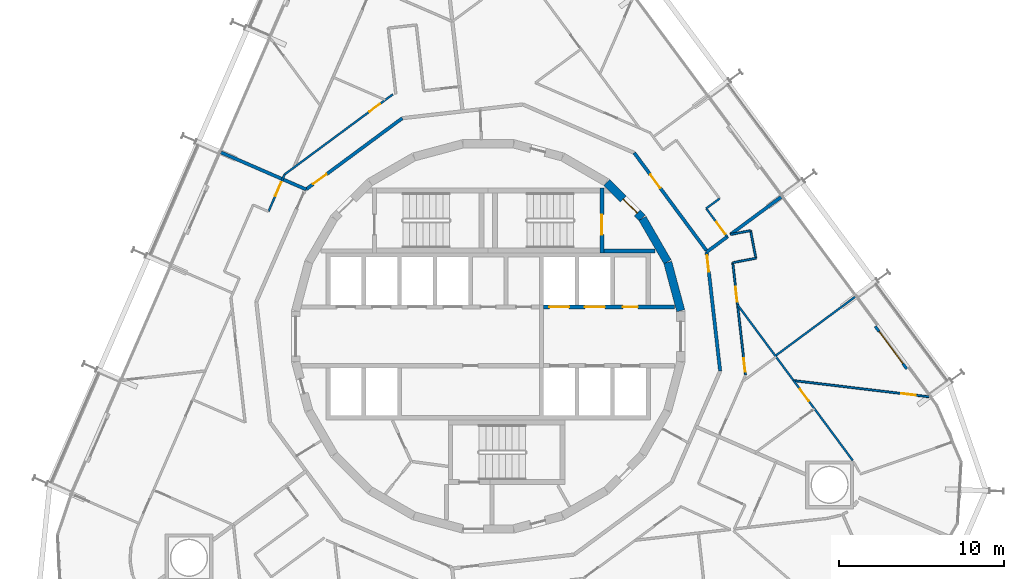
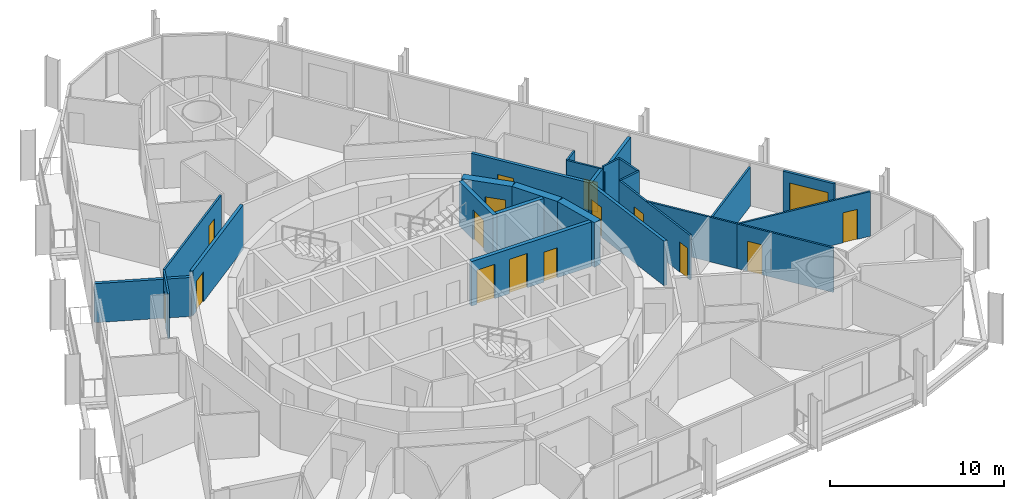
# One storey, part 20 of 24: 25 walls, 16 doors, 16 openings.
"""IFC4 building model written with IfcOpenShell, lengths in metres."""

import ifcopenshell
import ifcopenshell.guid

model = None  # the IFC model being written
_history = None  # IfcOwnerHistory: only IFC2X3 demands one
_inside = {}  # id of a spatial element -> (the spatial element, [elements in it])
_under = {}  # id of a project, library or spatial element -> (it, [spatial elements below it])
_declared = {}  # id of a project -> (the project, [libraries it declares])
_typed = {}  # id of a type object -> (the type object, [elements of that type])
_made_of = {}  # id of a material, layer set ... -> (it, [elements and type objects made of it])


def new_model(schema):
    """Start an empty IFC model of exactly this schema.

    Asked for "IFC4X3", IfcOpenShell would pick the latest addendum, in which some entities
    have other attributes; the version numbers below select the first issue.
    IFC2X3 requires an IfcOwnerHistory on every rooted entity: one is made here for all.
    """
    global model, _history
    if schema == "IFC4X3":
        model = ifcopenshell.file(schema_version=(4, 3, 0, 0))
    else:
        model = ifcopenshell.file(schema=schema)
    _inside.clear()
    _under.clear()
    _declared.clear()
    _typed.clear()
    _made_of.clear()
    _history = None
    if model.schema == "IFC2X3":
        org = make("IfcOrganization", Name="unknown")
        user = make(
            "IfcPersonAndOrganization",
            ThePerson=make("IfcPerson", FamilyName="unknown"),
            TheOrganization=org,
        )
        app = make(
            "IfcApplication",
            ApplicationDeveloper=org,
            Version="unknown",
            ApplicationFullName="unknown",
            ApplicationIdentifier="unknown",
        )
        _history = make(
            "IfcOwnerHistory",
            OwningUser=user,
            OwningApplication=app,
            ChangeAction="ADDED",
            CreationDate=0,
        )
    return model


def make(cls, **values):
    """One entity of the class cls with the attributes given. An attribute that is None is left unset."""
    return model.create_entity(
        cls, **{name: value for name, value in values.items() if value is not None}
    )


def rooted(cls, **values):
    """An entity with a GlobalId (a new one), such as an element, a storey or a relation."""
    return make(cls, GlobalId=ifcopenshell.guid.new(), OwnerHistory=_history, **values)


def si_unit(unit_type, name, prefix=None):
    """IfcSIUnit, for example si_unit("LENGTHUNIT", "METRE", prefix="MILLI")."""
    return make("IfcSIUnit", UnitType=unit_type, Prefix=prefix, Name=name)


def assignment(units):
    """IfcUnitAssignment: the units of a project."""
    return None if units is None else make("IfcUnitAssignment", Units=units)


def point(xyz):
    """IfcCartesianPoint."""
    return None if xyz is None else make("IfcCartesianPoint", Coordinates=xyz)


def direction(xyz):
    """IfcDirection."""
    return None if xyz is None else make("IfcDirection", DirectionRatios=xyz)


def frame(location, z_axis=None, x_axis=None):
    """IfcAxis2Placement3D, a coordinate frame: its origin and axes. An axis left out is left unset."""
    return make(
        "IfcAxis2Placement3D",
        Location=point(location),
        Axis=direction(z_axis),
        RefDirection=direction(x_axis),
    )


def frame_2d(location, x_axis=None):
    """IfcAxis2Placement2D, a coordinate frame in the plane: its origin and x axis."""
    return make(
        "IfcAxis2Placement2D", Location=point(location), RefDirection=direction(x_axis)
    )


def origin():
    """The frame at (0, 0, 0) with its axes left unset."""
    return frame((0.0, 0.0, 0.0))


def place(relative_to, where):
    """IfcLocalPlacement: puts the frame where relative to a parent placement (None: the world)."""
    return make(
        "IfcLocalPlacement", PlacementRelTo=relative_to, RelativePlacement=where
    )


def context(
    kind, dimensions, precision=None, world=None, true_north=None, identifier=None
):
    """IfcGeometricRepresentationContext, for example the 3D "Model" context."""
    return make(
        "IfcGeometricRepresentationContext",
        ContextIdentifier=identifier,
        ContextType=kind,
        CoordinateSpaceDimension=dimensions,
        Precision=precision,
        WorldCoordinateSystem=world,
        TrueNorth=true_north,
    )


def subcontext(parent, identifier, kind, view, scale=None):
    """IfcGeometricRepresentationSubContext, for example "Body" below "Model"."""
    return make(
        "IfcGeometricRepresentationSubContext",
        ContextIdentifier=identifier,
        ContextType=kind,
        ParentContext=parent,
        TargetScale=scale,
        TargetView=view,
    )


def project(units=None, contexts=None):
    """IfcProject with its units and contexts."""
    return rooted(
        "IfcProject",
        Name="project",
        RepresentationContexts=contexts,
        UnitsInContext=assignment(units),
    )


def spatial(cls, under=None, at=None, **own):
    """A site, building, storey or space (cls), placed at a placement, below another one or the project."""
    s = rooted(cls, ObjectPlacement=at, **own)
    if under is not None:
        _under.setdefault(under.id(), (under, []))[1].append(s)
    return s


def profile(cls, at=None, kind="AREA", **sizes):
    """A parametric profile (cls). Its sizes go by their IFC names, for example OverallWidth=200.0."""
    return make(cls, ProfileType=kind, Position=at, **sizes)


def rectangle(**sizes):
    """IfcRectangleProfileDef."""
    return profile("IfcRectangleProfileDef", **sizes)


def extrude(swept, where, along, depth):
    """IfcExtrudedAreaSolid: the profile swept, set in the frame where, extruded along a direction by depth."""
    return make(
        "IfcExtrudedAreaSolid",
        SweptArea=swept,
        Position=where,
        ExtrudedDirection=direction(along),
        Depth=depth,
    )


def shape(context_of_items, identifier, shape_type, items):
    """IfcShapeRepresentation: the items that make up one representation, for example the "Body"."""
    return make(
        "IfcShapeRepresentation",
        ContextOfItems=context_of_items,
        RepresentationIdentifier=identifier,
        RepresentationType=shape_type,
        Items=items,
    )


def material(Name=None, Category=None):
    """IfcMaterial."""
    return make("IfcMaterial", Name=Name, Category=Category)


def layer(
    of_material, thickness, ventilated=None, Name=None, Category=None, Priority=None
):
    """IfcMaterialLayer: one layer of a wall or slab, of a material (None: an air gap)."""
    return make(
        "IfcMaterialLayer",
        Material=of_material,
        LayerThickness=thickness,
        IsVentilated=ventilated,
        Name=Name,
        Category=Category,
        Priority=Priority,
    )


def layer_set(layers, Name=None):
    """IfcMaterialLayerSet."""
    return make("IfcMaterialLayerSet", MaterialLayers=layers, LayerSetName=Name)


def made_of(thing, what):
    """Note that an element or type object is made of a material, layer set ...; save() writes the relation."""
    if what is not None:
        _made_of.setdefault(what.id(), (what, []))[1].append(thing)
    return thing


def type_object(cls, material=None, **own):
    """A type object (cls), such as IfcWallType, which elements share."""
    return made_of(rooted(cls, **own), material)


def element(
    cls,
    number,
    at=None,
    inside=None,
    cuts=None,
    type_object=None,
    material=None,
    context=None,
    identifier="Body",
    shape_type=None,
    held_by="IfcProductDefinitionShape",
    body=None,
    shapes=None,
    **own,
):
    """One element of the class cls, such as IfcWall. Its Tag is "e" and its number.

    at: its placement. inside: the storey or other place that contains it. cuts: it is an
    opening in that element (IfcRelVoidsElement). A single representation is given by context,
    identifier, shape_type and body (its items); several are given by shapes. held_by: the class
    of the entity that holds the representations. save() writes the other relations.
    """
    e = rooted(cls, Tag="e%d" % number, ObjectPlacement=at, **own)
    if body is not None:
        shapes = [shape(context, identifier, shape_type, body)]
    if shapes is not None:
        e.Representation = make(held_by, Representations=shapes)
    if inside is not None:
        _inside.setdefault(inside.id(), (inside, []))[1].append(e)
    if cuts is not None:
        rooted(
            "IfcRelVoidsElement", RelatingBuildingElement=cuts, RelatedOpeningElement=e
        )
    if type_object is not None:
        _typed.setdefault(type_object.id(), (type_object, []))[1].append(e)
    return made_of(e, material)


def fill(opening, filler):
    """IfcRelFillsElement: the door or window that sits in an opening."""
    return rooted(
        "IfcRelFillsElement",
        RelatingOpeningElement=opening,
        RelatedBuildingElement=filler,
    )


def aggregate(whole, parts):
    """IfcRelAggregates: a whole, such as a stair, and the parts it consists of."""
    return rooted("IfcRelAggregates", RelatingObject=whole, RelatedObjects=parts)


def save(model, path):
    """Write the relations noted so far, then the file.

    IfcRelAggregates (storeys below a building ...), IfcRelContainedInSpatialStructure (elements
    in a storey), IfcRelDefinesByType, IfcRelAssociatesMaterial and IfcRelDeclares: one each for
    every whole, place, type object, material and project.
    """
    for whole, parts in _under.values():
        aggregate(whole, parts)
    for where, things in _inside.values():
        rooted(
            "IfcRelContainedInSpatialStructure",
            RelatedElements=things,
            RelatingStructure=where,
        )
    for kind, things in _typed.values():
        rooted("IfcRelDefinesByType", RelatedObjects=things, RelatingType=kind)
    for what, things in _made_of.values():
        rooted("IfcRelAssociatesMaterial", RelatedObjects=things, RelatingMaterial=what)
    for by, libraries in _declared.values():
        rooted("IfcRelDeclares", RelatingContext=by, RelatedDefinitions=libraries)
    model.write(path)


model = new_model("IFC4")

# Units and contexts
model_context = context("Model", 3, precision=1e-05, world=origin(), true_north=direction((0.0, 1.0)))
body_context = subcontext(model_context, "Body", "Model", "MODEL_VIEW")
ifc_project = project(units=[si_unit("LENGTHUNIT", "METRE"), si_unit("AREAUNIT", "SQUARE_METRE"), si_unit("VOLUMEUNIT", "CUBIC_METRE"), si_unit("PLANEANGLEUNIT", "RADIAN"), si_unit("MASSUNIT", "GRAM", prefix="KILO")], contexts=[model_context])

# Site, building, storey
site_placement = place(None, origin())
site = spatial("IfcSite", under=ifc_project, at=site_placement, CompositionType="ELEMENT")
building_placement = place(site_placement, origin())
building = spatial("IfcBuilding", under=site, at=building_placement, Name="Spindle Arch Residences", CompositionType="ELEMENT")
storey_placement = place(building_placement, frame((0.0, 0.0, 87.199951171875)))
storey = spatial("IfcBuildingStorey", under=building, at=storey_placement, Name="L20", CompositionType="ELEMENT", Elevation=87.199951171875)

# Walls
ifc_material_1 = material(Name="Concrete C50/60", Category="concrete")
ifc_layer_1 = layer(ifc_material_1, 0.5)
ifc_layer_set_1 = layer_set([ifc_layer_1], Name="Core outline wall 500")
wall_type_1 = type_object("IfcWallType", Name="Core outline wall 500", PredefinedType="SHEAR", material=ifc_layer_set_1)
for number, where, z_axis, x_axis, name in (
    (1, (11.642822265625, 1.5498046875, 0.0), (0.0, 0.0, 1.0), (-0.258734743916, 0.965948410781, 0.0), "Core outline wall 7"),
    (2, (10.84521484375, 4.510498046875, 0.0), (0.0, 0.0, 1.0), (-0.500087131594, 0.865975092491, 0.0), "Core outline wall 8"),
):
    element("IfcWall", number, at=place(storey_placement, frame(where, z_axis=z_axis, x_axis=x_axis)), inside=storey, type_object=wall_type_1, Name=name, PredefinedType="SHEAR", context=body_context, shape_type="SweptSolid", body=[
        extrude(rectangle(XDim=3.03271484375, YDim=0.5, at=frame_2d((1.516357421875, 0.0))), origin(), (0.0, 0.0, 1.0), 3.1201171875),
    ])

# Wall, opening, door
wall_1_placement = place(storey_placement, frame((9.30810546875, 7.163818359375, 0.0), z_axis=(0.0, 0.0, 1.0), x_axis=(-0.707106781187, 0.707106781187, 0.0)))
wall_1 = element("IfcWall", 3, at=wall_1_placement, inside=storey, type_object=wall_type_1, Name="Core outline wall 9", PredefinedType="SHEAR", context=body_context, shape_type="SweptSolid", body=[
    extrude(rectangle(XDim=3.032470703125, YDim=0.5, at=frame_2d((1.51611328125, 0.0))), origin(), (0.0, 0.0, 1.0), 3.1201171875),
])
opening_1_placement = place(wall_1_placement, frame((0.416259765625, 0.0, 0.0)))
opening_1 = element("IfcOpeningElement", 4, at=opening_1_placement, cuts=wall_1, Name="Opening R2B1-AD01", PredefinedType="OPENING", context=body_context, shape_type="SweptSolid", body=[
    extrude(rectangle(XDim=1.199951171875, YDim=2.10009765625, at=frame_2d((0.60009765625, 1.050048828125))), frame((0.0, 0.260009765625, 0.0), z_axis=(0.0, -1.0, 0.0), x_axis=(1.0, 0.0, 0.0)), (0.0, 0.0, 1.0), 0.52001953125),
])
ifc_material_2 = material(Name="Steel, fire-resisting door", Category="steel")
door_type_1 = type_object("IfcDoorType", Name="Stair airlock door 1200x2100", OperationType="SINGLE_SWING_LEFT", PredefinedType="DOOR", material=ifc_material_2)
door_1_placement = place(opening_1_placement, origin())
door_1 = element("IfcDoor", 5, at=door_1_placement, inside=storey, type_object=door_type_1, Name="Stair airlock door R2B1-AD01", OperationType="SINGLE_SWING_RIGHT", OverallHeight=2.10009765625, OverallWidth=1.199951171875, PredefinedType="DOOR", context=body_context, shape_type="SweptSolid", body=[
    extrude(rectangle(XDim=1.199951171875, YDim=2.10009765625, at=frame_2d((0.60009765625, 1.050048828125))), frame((0.0, 0.02490234375, 0.0), z_axis=(0.0, -1.0, 0.0), x_axis=(1.0, 0.0, 0.0)), (0.0, 0.0, 1.0), 0.050048828125),
])
fill(opening_1, door_1)

ifc_material_3 = material(Name="Calcium silicate block, plastered")
ifc_layer_2 = layer(ifc_material_3, 0.199951171875)
ifc_layer_set_2 = layer_set([ifc_layer_2], Name="Corridor wall 200")
wall_type_2 = type_object("IfcWallType", Name="Corridor wall 200", PredefinedType="STANDARD", material=ifc_layer_set_2)
wall_2_placement = place(storey_placement, frame((13.1962890625, 5.1982421875, 0.0), z_axis=(0.0, 0.0, 1.0), x_axis=(-0.594805187394, 0.803869883159, 0.0)))
wall_2 = element("IfcWall", 6, at=wall_2_placement, inside=storey, type_object=wall_type_2, Name="Corridor wall R2B1-W004", PredefinedType="STANDARD", context=body_context, shape_type="SweptSolid", body=[
    extrude(rectangle(XDim=7.341796875, YDim=0.199951171875, at=frame_2d((3.6708984375, 0.0))), origin(), (0.0, 0.0, 1.0), 3.1201171875),
])
opening_2_placement = place(wall_2_placement, frame((4.699951171875, 0.0, 0.0)))
opening_2 = element("IfcOpeningElement", 7, at=opening_2_placement, cuts=wall_2, Name="Opening R2B1-FD01", PredefinedType="OPENING", context=body_context, shape_type="SweptSolid", body=[
    extrude(rectangle(XDim=1.0, YDim=2.10009765625, at=frame_2d((0.5, 1.050048828125))), frame((0.0, 0.10986328125, 0.0), z_axis=(0.0, -1.0, 0.0), x_axis=(1.0, 0.0, 0.0)), (0.0, 0.0, 1.0), 0.219970703125),
])
ifc_material_4 = material(Name="Timber, fire-resisting door set", Category="wood")
door_type_2 = type_object("IfcDoorType", Name="Flat entrance door 1000x2100", OperationType="NOTDEFINED", PredefinedType="DOOR", material=ifc_material_4)
door_2_placement = place(opening_2_placement, origin())
door_2 = element("IfcDoor", 8, at=door_2_placement, inside=storey, type_object=door_type_2, Name="Flat entrance door R2B1-FD01", OperationType="SINGLE_SWING_RIGHT", OverallHeight=2.10009765625, OverallWidth=1.0, PredefinedType="DOOR", context=body_context, shape_type="SweptSolid", body=[
    extrude(rectangle(XDim=1.0, YDim=2.10009765625, at=frame_2d((0.5, 1.050048828125))), frame((0.0, 0.02490234375, 0.0), z_axis=(0.0, -1.0, 0.0), x_axis=(1.0, 0.0, 0.0)), (0.0, 0.0, 1.0), 0.050048828125),
])
fill(opening_2, door_2)

wall_3_placement = place(storey_placement, frame((14.027587890625, -2.096435546875, 0.0), z_axis=(0.0, 0.0, 1.0), x_axis=(-0.113207047924, 0.993571418822, 0.0)))
wall_3 = element("IfcWall", 9, at=wall_3_placement, inside=storey, type_object=wall_type_2, Name="Corridor wall R2B1-W008", PredefinedType="STANDARD", context=body_context, shape_type="SweptSolid", body=[
    extrude(rectangle(XDim=7.23974609375, YDim=0.199951171875, at=frame_2d((3.619873046875, 0.0))), origin(), (0.0, 0.0, 1.0), 3.1201171875),
])
opening_3_placement = place(wall_3_placement, frame((6.03955078125, 0.0, 0.0)))
opening_3 = element("IfcOpeningElement", 10, at=opening_3_placement, cuts=wall_3, Name="Opening R2B1-FD06", PredefinedType="OPENING", context=body_context, shape_type="SweptSolid", body=[
    extrude(rectangle(XDim=1.0, YDim=2.10009765625, at=frame_2d((0.5, 1.050048828125))), frame((0.0, 0.10986328125, 0.0), z_axis=(0.0, -1.0, 0.0), x_axis=(1.0, 0.0, 0.0)), (0.0, 0.0, 1.0), 0.219970703125),
])
door_3_placement = place(opening_3_placement, origin())
door_3 = element("IfcDoor", 11, at=door_3_placement, inside=storey, type_object=door_type_2, Name="Flat entrance door R2B1-FD06", OperationType="SINGLE_SWING_LEFT", OverallHeight=2.10009765625, OverallWidth=1.0, PredefinedType="DOOR", context=body_context, shape_type="SweptSolid", body=[
    extrude(rectangle(XDim=1.0, YDim=2.10009765625, at=frame_2d((0.5, 1.050048828125))), frame((0.0, 0.02490234375, 0.0), z_axis=(0.0, -1.0, 0.0), x_axis=(1.0, 0.0, 0.0)), (0.0, 0.0, 1.0), 0.050048828125),
])
fill(opening_3, door_3)

wall_4_placement = place(storey_placement, frame((-5.1982421875, 13.1962890625, 0.0), z_axis=(0.0, 0.0, 1.0), x_axis=(-0.803864151363, -0.594812933748, 0.0)))
wall_4 = element("IfcWall", 12, at=wall_4_placement, inside=storey, type_object=wall_type_2, Name="Corridor wall R2B1-W009", PredefinedType="STANDARD", context=body_context, shape_type="SweptSolid", body=[
    extrude(rectangle(XDim=7.239501953125, YDim=0.199951171875, at=frame_2d((3.61962890625, 0.0))), origin(), (0.0, 0.0, 1.0), 3.1201171875),
])
opening_4_placement = place(wall_4_placement, frame((5.699951171875, 0.0, 0.0)))
opening_4 = element("IfcOpeningElement", 13, at=opening_4_placement, cuts=wall_4, Name="Opening R2B1-FD02", PredefinedType="OPENING", context=body_context, shape_type="SweptSolid", body=[
    extrude(rectangle(XDim=1.0, YDim=2.10009765625, at=frame_2d((0.5, 1.050048828125))), frame((0.0, 0.10986328125, 0.0), z_axis=(0.0, -1.0, 0.0), x_axis=(1.0, 0.0, 0.0)), (0.0, 0.0, 1.0), 0.219970703125),
])
door_4_placement = place(opening_4_placement, origin())
door_4 = element("IfcDoor", 14, at=door_4_placement, inside=storey, type_object=door_type_2, Name="Flat entrance door R2B1-FD02", OperationType="SINGLE_SWING_LEFT", OverallHeight=2.10009765625, OverallWidth=1.0, PredefinedType="DOOR", context=body_context, shape_type="SweptSolid", body=[
    extrude(rectangle(XDim=1.0, YDim=2.10009765625, at=frame_2d((0.5, 1.050048828125))), frame((0.0, 0.02490234375, 0.0), z_axis=(0.0, -1.0, 0.0), x_axis=(1.0, 0.0, 0.0)), (0.0, 0.0, 1.0), 0.050048828125),
])
fill(opening_4, door_4)

# Wall, openings, doors
ifc_material_5 = material(Name="Concrete C40/50", Category="concrete")
ifc_layer_3 = layer(ifc_material_5, 0.25)
ifc_layer_set_3 = layer_set([ifc_layer_3], Name="Fire-lift lobby wall 250")
wall_type_3 = type_object("IfcWallType", Name="Fire-lift lobby wall 250", PredefinedType="SHEAR", material=ifc_layer_set_3)
wall_5_placement = place(storey_placement, frame((3.35009765625, 1.77490234375, 0.0), z_axis=(0.0, 0.0, 1.0), x_axis=(1.0, 0.0, 0.0)))
wall_5 = element("IfcWall", 15, at=wall_5_placement, inside=storey, type_object=wall_type_3, Name="Lift shaft front wall NE", PredefinedType="SHEAR", context=body_context, shape_type="SweptSolid", body=[
    extrude(rectangle(XDim=7.929931640625, YDim=0.25, at=frame_2d((3.96484375, 0.0))), origin(), (0.0, 0.0, 1.0), 3.1201171875),
])
opening_5_placement = place(wall_5_placement, frame((0.35009765625, 0.0, 0.0)))
opening_5 = element("IfcOpeningElement", 16, at=opening_5_placement, cuts=wall_5, Name="Opening R2B1-SLD01", PredefinedType="OPENING", context=body_context, shape_type="SweptSolid", body=[
    extrude(rectangle(XDim=1.199951171875, YDim=2.39990234375, at=frame_2d((0.60009765625, 1.199951171875))), frame((0.0, 0.135009765625, 0.0), z_axis=(0.0, -1.0, 0.0), x_axis=(1.0, 0.0, 0.0)), (0.0, 0.0, 1.0), 0.27001953125),
])
opening_6_placement = place(wall_5_placement, frame((2.5, 0.0, 0.0)))
opening_6 = element("IfcOpeningElement", 17, at=opening_6_placement, cuts=wall_5, Name="Opening R2B1-SLD02", PredefinedType="OPENING", context=body_context, shape_type="SweptSolid", body=[
    extrude(rectangle(XDim=1.199951171875, YDim=2.39990234375, at=frame_2d((0.60009765625, 1.199951171875))), frame((0.0, 0.135009765625, 0.0), z_axis=(0.0, -1.0, 0.0), x_axis=(1.0, 0.0, 0.0)), (0.0, 0.0, 1.0), 0.27001953125),
])
opening_7_placement = place(wall_5_placement, frame((4.800048828125, 0.0, 0.0)))
opening_7 = element("IfcOpeningElement", 18, at=opening_7_placement, cuts=wall_5, Name="Opening R2B1-WD03", PredefinedType="OPENING", context=body_context, shape_type="SweptSolid", body=[
    extrude(rectangle(XDim=0.89990234375, YDim=2.10009765625, at=frame_2d((0.449951171875, 1.050048828125))), frame((0.0, 0.135009765625, 0.0), z_axis=(0.0, -1.0, 0.0), x_axis=(1.0, 0.0, 0.0)), (0.0, 0.0, 1.0), 0.27001953125),
])
ifc_material_6 = material(Name="Steel, fire-resisting landing door", Category="steel")
door_type_3 = type_object("IfcDoorType", Name="Service lift landing door 1200x2400", OperationType="DOUBLE_DOOR_SLIDING", PredefinedType="DOOR", material=ifc_material_6)
door_5_placement = place(opening_5_placement, origin())
door_5 = element("IfcDoor", 19, at=door_5_placement, inside=storey, type_object=door_type_3, Name="Service lift landing door R2B1-SLD01", OperationType="DOUBLE_DOOR_SLIDING", OverallHeight=2.39990234375, OverallWidth=1.199951171875, PredefinedType="DOOR", context=body_context, shape_type="SweptSolid", body=[
    extrude(rectangle(XDim=1.199951171875, YDim=2.39990234375, at=frame_2d((0.60009765625, 1.199951171875))), frame((0.0, 0.02490234375, 0.0), z_axis=(0.0, -1.0, 0.0), x_axis=(1.0, 0.0, 0.0)), (0.0, 0.0, 1.0), 0.050048828125),
])
fill(opening_5, door_5)
door_6_placement = place(opening_6_placement, origin())
door_6 = element("IfcDoor", 20, at=door_6_placement, inside=storey, type_object=door_type_3, Name="Service lift landing door R2B1-SLD02", OperationType="DOUBLE_DOOR_SLIDING", OverallHeight=2.39990234375, OverallWidth=1.199951171875, PredefinedType="DOOR", context=body_context, shape_type="SweptSolid", body=[
    extrude(rectangle(XDim=1.199951171875, YDim=2.39990234375, at=frame_2d((0.60009765625, 1.199951171875))), frame((0.0, 0.02490234375, 0.0), z_axis=(0.0, -1.0, 0.0), x_axis=(1.0, 0.0, 0.0)), (0.0, 0.0, 1.0), 0.050048828125),
])
fill(opening_6, door_6)
ifc_material_7 = material(Name="Steel, fire-resisting door", Category="steel")
door_type_4 = type_object("IfcDoorType", Name="Service room door 900x2100", OperationType="SINGLE_SWING_LEFT", PredefinedType="DOOR", material=ifc_material_7)
door_7_placement = place(opening_7_placement, origin())
door_7 = element("IfcDoor", 21, at=door_7_placement, inside=storey, type_object=door_type_4, Name="Service room door R2B1-WD03", OperationType="SINGLE_SWING_RIGHT", OverallHeight=2.10009765625, OverallWidth=0.89990234375, PredefinedType="DOOR", context=body_context, shape_type="SweptSolid", body=[
    extrude(rectangle(XDim=0.89990234375, YDim=2.10009765625, at=frame_2d((0.449951171875, 1.050048828125))), frame((0.0, 0.02490234375, 0.0), z_axis=(0.0, -1.0, 0.0), x_axis=(1.0, 0.0, 0.0)), (0.0, 0.0, 1.0), 0.050048828125),
])
fill(opening_7, door_7)

# Wall, opening, door
ifc_material_8 = material(Name="Plasterboard on steel studs", Category="steel")
ifc_layer_4 = layer(ifc_material_8, 0.1201171875)
ifc_layer_set_4 = layer_set([ifc_layer_4], Name="Flat partition 120")
wall_type_4 = type_object("IfcWallType", Name="Flat partition 120", PredefinedType="PARTITIONING", material=ifc_layer_set_4)
wall_6_placement = place(storey_placement, frame((14.454833984375, 6.019287109375, 0.0), z_axis=(0.0, 0.0, 1.0), x_axis=(-0.594792774379, 0.803879067737, 0.0)))
wall_6 = element("IfcWall", 22, at=wall_6_placement, inside=storey, type_object=wall_type_4, Name="Flat partition R2B1-W028", PredefinedType="PARTITIONING", context=body_context, shape_type="SweptSolid", body=[
    extrude(rectangle(XDim=2.1357421875, YDim=0.1201171875, at=frame_2d((1.06787109375, 0.0))), origin(), (0.0, 0.0, 1.0), 3.1201171875),
])
opening_8_placement = place(wall_6_placement, frame((0.199951171875, 0.0, 0.0)))
opening_8 = element("IfcOpeningElement", 23, at=opening_8_placement, cuts=wall_6, Name="Opening R2B1-ID01", PredefinedType="OPENING", context=body_context, shape_type="SweptSolid", body=[
    extrude(rectangle(XDim=0.89990234375, YDim=2.10009765625, at=frame_2d((0.449951171875, 1.050048828125))), frame((0.0, 0.070068359375, 0.0), z_axis=(0.0, -1.0, 0.0), x_axis=(1.0, 0.0, 0.0)), (0.0, 0.0, 1.0), 0.14013671875),
])
ifc_material_9 = material(Name="Timber door set", Category="wood")
door_type_5 = type_object("IfcDoorType", Name="Room door 900x2100", OperationType="NOTDEFINED", PredefinedType="DOOR", material=ifc_material_9)
door_8_placement = place(opening_8_placement, origin())
door_8 = element("IfcDoor", 24, at=door_8_placement, inside=storey, type_object=door_type_5, Name="Room door R2B1-ID01", OperationType="SINGLE_SWING_LEFT", OverallHeight=2.10009765625, OverallWidth=0.89990234375, PredefinedType="DOOR", context=body_context, shape_type="SweptSolid", body=[
    extrude(rectangle(XDim=0.89990234375, YDim=2.10009765625, at=frame_2d((0.449951171875, 1.050048828125))), frame((0.0, 0.02490234375, 0.0), z_axis=(0.0, -1.0, 0.0), x_axis=(1.0, 0.0, 0.0)), (0.0, 0.0, 1.0), 0.050048828125),
])
fill(opening_8, door_8)

# Wall
wall_7_placement = place(storey_placement, frame((13.1845703125, 7.736083984375, 0.0), z_axis=(0.0, 0.0, 1.0), x_axis=(0.803934518159, 0.594717824277, 0.0)))
element("IfcWall", 25, at=wall_7_placement, inside=storey, type_object=wall_type_4, Name="Flat partition R2B1-W029", PredefinedType="PARTITIONING", context=body_context, shape_type="SweptSolid", body=[
    extrude(rectangle(XDim=1.00830078125, YDim=0.1201171875, at=frame_2d((0.504150390625, 0.0))), origin(), (0.0, 0.0, 1.0), 3.1201171875),
])

# Wall, opening, door
wall_8_placement = place(storey_placement, frame((-5.767333984375, 14.64111328125, 0.0), z_axis=(0.0, 0.0, 1.0), x_axis=(-0.803853364238, -0.594827511807, 0.0)))
wall_8 = element("IfcWall", 26, at=wall_8_placement, inside=storey, type_object=wall_type_4, Name="Flat partition R2B1-W050", PredefinedType="PARTITIONING", context=body_context, shape_type="SweptSolid", body=[
    extrude(rectangle(XDim=8.1455078125, YDim=0.1201171875, at=frame_2d((4.07275390625, 0.0))), origin(), (0.0, 0.0, 1.0), 3.1201171875),
])
opening_9_placement = place(wall_8_placement, frame((0.9697265625, 0.0, 0.0)))
opening_9 = element("IfcOpeningElement", 27, at=opening_9_placement, cuts=wall_8, Name="Opening R2B1-BD02", PredefinedType="OPENING", context=body_context, shape_type="SweptSolid", body=[
    extrude(rectangle(XDim=0.800048828125, YDim=2.10009765625, at=frame_2d((0.39990234375, 1.050048828125))), frame((0.0, 0.070068359375, 0.0), z_axis=(0.0, -1.0, 0.0), x_axis=(1.0, 0.0, 0.0)), (0.0, 0.0, 1.0), 0.14013671875),
])
ifc_material_10 = material(Name="Timber door set", Category="wood")
door_type_6 = type_object("IfcDoorType", Name="Bathroom door 800x2100", OperationType="NOTDEFINED", PredefinedType="DOOR", material=ifc_material_10)
door_9_placement = place(opening_9_placement, origin())
door_9 = element("IfcDoor", 28, at=door_9_placement, inside=storey, type_object=door_type_6, Name="Bathroom door R2B1-BD02", OperationType="SINGLE_SWING_LEFT", OverallHeight=2.10009765625, OverallWidth=0.800048828125, PredefinedType="DOOR", context=body_context, shape_type="SweptSolid", body=[
    extrude(rectangle(XDim=0.800048828125, YDim=2.10009765625, at=frame_2d((0.39990234375, 1.050048828125))), frame((0.0, 0.02490234375, 0.0), z_axis=(0.0, -1.0, 0.0), x_axis=(1.0, 0.0, 0.0)), (0.0, 0.0, 1.0), 0.050048828125),
])
fill(opening_9, door_9)

wall_9_placement = place(storey_placement, frame((-12.315185546875, 9.7958984375, 0.0), z_axis=(0.0, 0.0, 1.0), x_axis=(-0.398762563957, -0.91705420646, 0.0)))
wall_9 = element("IfcWall", 29, at=wall_9_placement, inside=storey, type_object=wall_type_4, Name="Flat partition R2B1-W051", PredefinedType="PARTITIONING", context=body_context, shape_type="SweptSolid", body=[
    extrude(rectangle(XDim=2.448974609375, YDim=0.1201171875, at=frame_2d((1.224609375, 0.0))), origin(), (0.0, 0.0, 1.0), 3.1201171875),
])
opening_10_placement = place(wall_9_placement, frame((0.513427734375, 0.0, 0.0)))
opening_10 = element("IfcOpeningElement", 30, at=opening_10_placement, cuts=wall_9, Name="Opening R2B1-ID13", PredefinedType="OPENING", context=body_context, shape_type="SweptSolid", body=[
    extrude(rectangle(XDim=0.89990234375, YDim=2.10009765625, at=frame_2d((0.449951171875, 1.050048828125))), frame((0.0, 0.070068359375, 0.0), z_axis=(0.0, -1.0, 0.0), x_axis=(1.0, 0.0, 0.0)), (0.0, 0.0, 1.0), 0.14013671875),
])
door_10_placement = place(opening_10_placement, origin())
door_10 = element("IfcDoor", 31, at=door_10_placement, inside=storey, type_object=door_type_5, Name="Room door R2B1-ID13", OperationType="SINGLE_SWING_LEFT", OverallHeight=2.10009765625, OverallWidth=0.89990234375, PredefinedType="DOOR", context=body_context, shape_type="SweptSolid", body=[
    extrude(rectangle(XDim=0.89990234375, YDim=2.10009765625, at=frame_2d((0.449951171875, 1.050048828125))), frame((0.0, 0.02490234375, 0.0), z_axis=(0.0, -1.0, 0.0), x_axis=(1.0, 0.0, 0.0)), (0.0, 0.0, 1.0), 0.050048828125),
])
fill(opening_10, door_10)

# Wall, openings, doors
wall_10_placement = place(storey_placement, frame((15.563232421875, -2.325927734375, 0.0), z_axis=(0.0, 0.0, 1.0), x_axis=(-0.113209750844, 0.993571110849, 0.0)))
wall_10 = element("IfcWall", 32, at=wall_10_placement, inside=storey, type_object=wall_type_4, Name="Flat partition R2B1-W111", PredefinedType="PARTITIONING", context=body_context, shape_type="SweptSolid", body=[
    extrude(rectangle(XDim=6.82763671875, YDim=0.1201171875, at=frame_2d((3.413818359375, 0.0))), origin(), (0.0, 0.0, 1.0), 3.1201171875),
])
opening_11_placement = place(wall_10_placement, frame((4.460693359375, 0.0, 0.0)))
opening_11 = element("IfcOpeningElement", 33, at=opening_11_placement, cuts=wall_10, Name="Opening R2B1-ID31", PredefinedType="OPENING", context=body_context, shape_type="SweptSolid", body=[
    extrude(rectangle(XDim=0.89990234375, YDim=2.10009765625, at=frame_2d((0.449951171875, 1.050048828125))), frame((0.0, 0.070068359375, 0.0), z_axis=(0.0, -1.0, 0.0), x_axis=(1.0, 0.0, 0.0)), (0.0, 0.0, 1.0), 0.14013671875),
])
opening_12_placement = place(wall_10_placement, frame((0.199951171875, 0.0, 0.0)))
opening_12 = element("IfcOpeningElement", 34, at=opening_12_placement, cuts=wall_10, Name="Opening R2B1-BD07", PredefinedType="OPENING", context=body_context, shape_type="SweptSolid", body=[
    extrude(rectangle(XDim=0.800048828125, YDim=2.10009765625, at=frame_2d((0.39990234375, 1.050048828125))), frame((0.0, 0.070068359375, 0.0), z_axis=(0.0, -1.0, 0.0), x_axis=(1.0, 0.0, 0.0)), (0.0, 0.0, 1.0), 0.14013671875),
])
door_11_placement = place(opening_12_placement, origin())
door_11 = element("IfcDoor", 35, at=door_11_placement, inside=storey, type_object=door_type_6, Name="Bathroom door R2B1-BD07", OperationType="SINGLE_SWING_LEFT", OverallHeight=2.10009765625, OverallWidth=0.800048828125, PredefinedType="DOOR", context=body_context, shape_type="SweptSolid", body=[
    extrude(rectangle(XDim=0.800048828125, YDim=2.10009765625, at=frame_2d((0.39990234375, 1.050048828125))), frame((0.0, 0.02490234375, 0.0), z_axis=(0.0, -1.0, 0.0), x_axis=(1.0, 0.0, 0.0)), (0.0, 0.0, 1.0), 0.050048828125),
])
fill(opening_12, door_11)
door_12_placement = place(opening_11_placement, origin())
door_12 = element("IfcDoor", 36, at=door_12_placement, inside=storey, type_object=door_type_5, Name="Room door R2B1-ID31", OperationType="SINGLE_SWING_LEFT", OverallHeight=2.10009765625, OverallWidth=0.89990234375, PredefinedType="DOOR", context=body_context, shape_type="SweptSolid", body=[
    extrude(rectangle(XDim=0.89990234375, YDim=2.10009765625, at=frame_2d((0.449951171875, 1.050048828125))), frame((0.0, 0.02490234375, 0.0), z_axis=(0.0, -1.0, 0.0), x_axis=(1.0, 0.0, 0.0)), (0.0, 0.0, 1.0), 0.050048828125),
])
fill(opening_11, door_12)

# Walls
wall_11_placement = place(storey_placement, frame((14.790283203125, 4.457763671875, 0.0), z_axis=(0.0, 0.0, 1.0), x_axis=(0.981914676232, 0.189323977881, 0.0)))
element("IfcWall", 37, at=wall_11_placement, inside=storey, type_object=wall_type_4, Name="Flat partition R2B1-W112", PredefinedType="PARTITIONING", context=body_context, shape_type="SweptSolid", body=[
    extrude(rectangle(XDim=1.425048828125, YDim=0.1201171875, at=frame_2d((0.71240234375, 0.0))), origin(), (0.0, 0.0, 1.0), 3.1201171875),
])
wall_12_placement = place(storey_placement, frame((16.189453125, 4.7275390625, 0.0), z_axis=(0.0, 0.0, 1.0), x_axis=(-0.18942796612, 0.981894620441, 0.0)))
element("IfcWall", 38, at=wall_12_placement, inside=storey, type_object=wall_type_4, Name="Flat partition R2B1-W113", PredefinedType="PARTITIONING", context=body_context, shape_type="SweptSolid", body=[
    extrude(rectangle(XDim=1.699951171875, YDim=0.1201171875, at=frame_2d((0.85009765625, 0.0))), origin(), (0.0, 0.0, 1.0), 3.1201171875),
])
wall_13_placement = place(storey_placement, frame((15.867431640625, 6.396728515625, 0.0), z_axis=(0.0, 0.0, 1.0), x_axis=(-0.981909648822, -0.189350050303, 0.0)))
element("IfcWall", 39, at=wall_13_placement, inside=storey, type_object=wall_type_4, Name="Flat partition R2B1-W114", PredefinedType="PARTITIONING", context=body_context, shape_type="SweptSolid", body=[
    extrude(rectangle(XDim=1.242919921875, YDim=0.1201171875, at=frame_2d((0.62158203125, 0.0))), origin(), (0.0, 0.0, 1.0), 3.1201171875),
])
wall_14_placement = place(storey_placement, frame((15.0810546875, 1.9072265625, 0.0), z_axis=(0.0, 0.0, 1.0), x_axis=(0.594819754849, -0.803859104098, 0.0)))
element("IfcWall", 40, at=wall_14_placement, inside=storey, type_object=wall_type_4, Name="Flat partition R2B1-W116", PredefinedType="PARTITIONING", context=body_context, shape_type="SweptSolid", body=[
    extrude(rectangle(XDim=5.699462890625, YDim=0.1201171875, at=frame_2d((2.849609375, 0.0))), origin(), (0.0, 0.0, 1.0), 3.1201171875),
])

# Wall, opening, door
wall_15_placement = place(storey_placement, frame((22.047607421875, -7.50732421875, 0.0), z_axis=(0.0, 0.0, 1.0), x_axis=(-0.59484195588, 0.803842675855, 0.0)))
wall_15 = element("IfcWall", 41, at=wall_15_placement, inside=storey, type_object=wall_type_4, Name="Flat partition R2B1-W120", PredefinedType="PARTITIONING", context=body_context, shape_type="SweptSolid", body=[
    extrude(rectangle(XDim=6.012451171875, YDim=0.1201171875, at=frame_2d((3.00634765625, 0.0))), origin(), (0.0, 0.0, 1.0), 3.1201171875),
])
opening_13_placement = place(wall_15_placement, frame((4.468505859375, 0.0, 0.0)))
opening_13 = element("IfcOpeningElement", 42, at=opening_13_placement, cuts=wall_15, Name="Opening R2B1-ID33", PredefinedType="OPENING", context=body_context, shape_type="SweptSolid", body=[
    extrude(rectangle(XDim=0.89990234375, YDim=2.10009765625, at=frame_2d((0.449951171875, 1.050048828125))), frame((0.0, 0.070068359375, 0.0), z_axis=(0.0, -1.0, 0.0), x_axis=(1.0, 0.0, 0.0)), (0.0, 0.0, 1.0), 0.14013671875),
])
door_13_placement = place(opening_13_placement, origin())
door_13 = element("IfcDoor", 43, at=door_13_placement, inside=storey, type_object=door_type_5, Name="Room door R2B1-ID33", OperationType="SINGLE_SWING_LEFT", OverallHeight=2.10009765625, OverallWidth=0.89990234375, PredefinedType="DOOR", context=body_context, shape_type="SweptSolid", body=[
    extrude(rectangle(XDim=0.89990234375, YDim=2.10009765625, at=frame_2d((0.449951171875, 1.050048828125))), frame((0.0, 0.02490234375, 0.0), z_axis=(0.0, -1.0, 0.0), x_axis=(1.0, 0.0, 0.0)), (0.0, 0.0, 1.0), 0.050048828125),
])
fill(opening_13, door_13)

wall_16_placement = place(storey_placement, frame((26.6611328125, -3.6552734375, 0.0), z_axis=(0.0, 0.0, 1.0), x_axis=(-0.992903144553, 0.11892579845, 0.0)))
wall_16 = element("IfcWall", 44, at=wall_16_placement, inside=storey, type_object=wall_type_4, Name="Flat partition R2B1-W122", PredefinedType="PARTITIONING", context=body_context, shape_type="SweptSolid", body=[
    extrude(rectangle(XDim=8.24853515625, YDim=0.1201171875, at=frame_2d((4.124267578125, 0.0))), origin(), (0.0, 0.0, 1.0), 3.1201171875),
])
opening_14_placement = place(wall_16_placement, frame((0.800048828125, 0.0, 0.0)))
opening_14 = element("IfcOpeningElement", 45, at=opening_14_placement, cuts=wall_16, Name="Opening R2B1-ID35", PredefinedType="OPENING", context=body_context, shape_type="SweptSolid", body=[
    extrude(rectangle(XDim=0.89990234375, YDim=2.10009765625, at=frame_2d((0.449951171875, 1.050048828125))), frame((0.0, 0.070068359375, 0.0), z_axis=(0.0, -1.0, 0.0), x_axis=(1.0, 0.0, 0.0)), (0.0, 0.0, 1.0), 0.14013671875),
])
door_14_placement = place(opening_14_placement, origin())
door_14 = element("IfcDoor", 46, at=door_14_placement, inside=storey, type_object=door_type_5, Name="Room door R2B1-ID35", OperationType="SINGLE_SWING_RIGHT", OverallHeight=2.10009765625, OverallWidth=0.89990234375, PredefinedType="DOOR", context=body_context, shape_type="SweptSolid", body=[
    extrude(rectangle(XDim=0.89990234375, YDim=2.10009765625, at=frame_2d((0.449951171875, 1.050048828125))), frame((0.0, 0.02490234375, 0.0), z_axis=(0.0, -1.0, 0.0), x_axis=(1.0, 0.0, 0.0)), (0.0, 0.0, 1.0), 0.050048828125),
])
fill(opening_14, door_14)

# Walls
ifc_material_11 = material(Name="Plasterboard on steel studs", Category="steel")
ifc_layer_5 = layer(ifc_material_11, 0.1201171875)
ifc_layer_set_5 = layer_set([ifc_layer_5], Name="Flat partition 120 under beam 2730")
wall_type_5 = type_object("IfcWallType", Name="Flat partition 120 under beam 2730", PredefinedType="PARTITIONING", material=ifc_layer_set_5)
wall_17_placement = place(storey_placement, frame((17.36572265625, -1.18017578125, 0.0), z_axis=(0.0, 0.0, 1.0), x_axis=(0.803855518832, 0.594824600065, 0.0)))
element("IfcWall", 47, at=wall_17_placement, inside=storey, type_object=wall_type_5, Name="Flat partition R2B1-W115", PredefinedType="PARTITIONING", context=body_context, shape_type="SweptSolid", body=[
    extrude(rectangle(XDim=5.999755859375, YDim=0.1201171875, at=frame_2d((3.0, 0.0))), origin(), (0.0, 0.0, 1.0), 2.72998046875),
])
ifc_material_12 = material(Name="Calcium silicate block, plastered")
ifc_layer_6 = layer(ifc_material_12, 0.199951171875)
ifc_layer_set_6 = layer_set([ifc_layer_6], Name="Flat party wall 200")
wall_type_6 = type_object("IfcWallType", Name="Flat party wall 200", PredefinedType="STANDARD", material=ifc_layer_set_6)
wall_18_placement = place(storey_placement, frame((13.2080078125, 5.0966796875, 0.0), z_axis=(0.0, 0.0, 1.0), x_axis=(0.803831627965, 0.594856885211, 0.0)))
element("IfcWall", 48, at=wall_18_placement, inside=storey, type_object=wall_type_6, Name="Flat party wall R2B1-W017", PredefinedType="STANDARD", context=body_context, shape_type="SweptSolid", body=[
    extrude(rectangle(XDim=1.59130859375, YDim=0.199951171875, at=frame_2d((0.795654296875, 0.0))), origin(), (0.0, 0.0, 1.0), 3.1201171875),
])
ifc_material_13 = material(Name="Calcium silicate block, plastered")
ifc_layer_7 = layer(ifc_material_13, 0.199951171875)
ifc_layer_set_7 = layer_set([ifc_layer_7], Name="Flat party wall 200 under beam 2730")
wall_type_7 = type_object("IfcWallType", Name="Flat party wall 200 under beam 2730", PredefinedType="STANDARD", material=ifc_layer_set_7)
wall_19_placement = place(storey_placement, frame((14.64697265625, 6.161376953125, 0.0), z_axis=(0.0, 0.0, 1.0), x_axis=(0.803842510616, 0.594842179175, 0.0)))
element("IfcWall", 49, at=wall_19_placement, inside=storey, type_object=wall_type_7, Name="Flat party wall R2B1-W018", PredefinedType="STANDARD", context=body_context, shape_type="SweptSolid", body=[
    extrude(rectangle(XDim=3.818603515625, YDim=0.199951171875, at=frame_2d((1.9091796875, 0.0))), origin(), (0.0, 0.0, 1.0), 2.72998046875),
])
wall_20_placement = place(storey_placement, frame((-16.1611328125, 11.12646484375, 0.0), z_axis=(0.0, 0.0, 1.0), x_axis=(0.917063135481, -0.398742028813, 0.0)))
element("IfcWall", 50, at=wall_20_placement, inside=storey, type_object=wall_type_7, Name="Flat party wall R2B1-W020", PredefinedType="STANDARD", context=body_context, shape_type="SweptSolid", body=[
    extrude(rectangle(XDim=5.6083984375, YDim=0.199951171875, at=frame_2d((2.80419921875, 0.0))), origin(), (0.0, 0.0, 1.0), 2.72998046875),
])

# Wall, opening, door
ifc_material_14 = material(Name="Non-combustible mineral wool insulated aluminium faced external wall (K0)", Category="aluminium")
ifc_layer_8 = layer(ifc_material_14, 0.159912109375)
ifc_layer_set_8 = layer_set([ifc_layer_8], Name="Insulated external wall panel 160")
wall_type_8 = type_object("IfcWallType", Name="Insulated external wall panel 160", PredefinedType="STANDARD", material=ifc_layer_set_8)
wall_21_placement = place(storey_placement, frame((25.3125, -1.967041015625, 0.0), z_axis=(0.0, 0.0, 1.0), x_axis=(-0.594860752536, 0.803828766027, 0.0)))
wall_21 = element("IfcWall", 51, at=wall_21_placement, inside=storey, type_object=wall_type_8, Name="External wall L20 bay 6", PredefinedType="STANDARD", context=body_context, shape_type="SweptSolid", body=[
    extrude(rectangle(XDim=3.199951171875, YDim=0.159912109375, at=frame_2d((1.60009765625, 0.0))), origin(), (0.0, 0.0, 1.0), 3.1201171875),
])
opening_15_placement = place(wall_21_placement, frame((0.39990234375, 0.0, 0.0)))
opening_15 = element("IfcOpeningElement", 52, at=opening_15_placement, cuts=wall_21, Name="Opening BD06", PredefinedType="OPENING", context=body_context, shape_type="SweptSolid", body=[
    extrude(rectangle(XDim=2.39990234375, YDim=2.39990234375, at=frame_2d((1.199951171875, 1.199951171875))), frame((0.0, 0.08984375, 0.0), z_axis=(0.0, -1.0, 0.0), x_axis=(1.0, 0.0, 0.0)), (0.0, 0.0, 1.0), 0.179931640625),
])
ifc_material_15 = material(Name="Bronze aluminium frame, tinted double glazing", Category="aluminium")
door_type_7 = type_object("IfcDoorType", Name="Sliding glazed balcony door 2400x2400", OperationType="DOUBLE_DOOR_SLIDING", PredefinedType="DOOR", material=ifc_material_15)
door_15_placement = place(opening_15_placement, origin())
door_15 = element("IfcDoor", 53, at=door_15_placement, inside=storey, type_object=door_type_7, Name="Balcony door BD06", OperationType="DOUBLE_DOOR_SLIDING", OverallHeight=2.39990234375, OverallWidth=2.39990234375, PredefinedType="DOOR", context=body_context, shape_type="SweptSolid", body=[
    extrude(rectangle(XDim=2.39990234375, YDim=2.39990234375, at=frame_2d((1.199951171875, 1.199951171875))), frame((0.0, 0.02490234375, 0.0), z_axis=(0.0, -1.0, 0.0), x_axis=(1.0, 0.0, 0.0)), (0.0, 0.0, 1.0), 0.050048828125),
])
fill(opening_15, door_15)

# Wall
ifc_material_16 = material(Name="Concrete C40/50", Category="concrete")
ifc_layer_9 = layer(ifc_material_16, 0.25)
ifc_layer_set_9 = layer_set([ifc_layer_9], Name="Stair airlock wall 250")
wall_type_9 = type_object("IfcWallType", Name="Stair airlock wall 250", PredefinedType="SHEAR", material=ifc_layer_set_9)
wall_22_placement = place(storey_placement, frame((7.0, 5.175048828125, 0.0), z_axis=(0.0, 0.0, 1.0), x_axis=(1.0, 0.0, 0.0)))
element("IfcWall", 54, at=wall_22_placement, inside=storey, type_object=wall_type_9, Name="Stair ST-1 airlock wall S", PredefinedType="SHEAR", context=body_context, shape_type="SweptSolid", body=[
    extrude(rectangle(XDim=3.10009765625, YDim=0.25, at=frame_2d((1.550048828125, 0.0))), origin(), (0.0, 0.0, 1.0), 3.1201171875),
])

# Wall, opening, door
ifc_material_17 = material(Name="Concrete C50/60", Category="concrete")
ifc_layer_10 = layer(ifc_material_17, 0.25)
ifc_layer_set_10 = layer_set([ifc_layer_10], Name="Stair enclosure wall 250")
wall_type_10 = type_object("IfcWallType", Name="Stair enclosure wall 250", PredefinedType="SHEAR", material=ifc_layer_set_10)
wall_23_placement = place(storey_placement, frame((6.875, 5.050048828125, 0.0), z_axis=(0.0, 0.0, 1.0), x_axis=(0.0, 1.0, 0.0)))
wall_23 = element("IfcWall", 55, at=wall_23_placement, inside=storey, type_object=wall_type_10, Name="Stair ST-1 door wall", PredefinedType="SHEAR", context=body_context, shape_type="SweptSolid", body=[
    extrude(rectangle(XDim=3.919921875, YDim=0.25, at=frame_2d((1.9599609375, 0.0))), origin(), (0.0, 0.0, 1.0), 3.1201171875),
])
opening_16_placement = place(wall_23_placement, frame((1.110107421875, 0.0, 0.0)))
opening_16 = element("IfcOpeningElement", 56, at=opening_16_placement, cuts=wall_23, Name="Opening R2B1-SD01", PredefinedType="OPENING", context=body_context, shape_type="SweptSolid", body=[
    extrude(rectangle(XDim=1.199951171875, YDim=2.10009765625, at=frame_2d((0.60009765625, 1.050048828125))), frame((0.0, 0.135009765625, 0.0), z_axis=(0.0, -1.0, 0.0), x_axis=(1.0, 0.0, 0.0)), (0.0, 0.0, 1.0), 0.27001953125),
])
ifc_material_18 = material(Name="Steel, fire-resisting door", Category="steel")
door_type_8 = type_object("IfcDoorType", Name="Stair door 1200x2100", OperationType="SINGLE_SWING_RIGHT", PredefinedType="DOOR", material=ifc_material_18)
door_16_placement = place(opening_16_placement, origin())
door_16 = element("IfcDoor", 57, at=door_16_placement, inside=storey, type_object=door_type_8, Name="Stair door R2B1-SD01", OperationType="SINGLE_SWING_LEFT", OverallHeight=2.10009765625, OverallWidth=1.199951171875, PredefinedType="DOOR", context=body_context, shape_type="SweptSolid", body=[
    extrude(rectangle(XDim=1.199951171875, YDim=2.10009765625, at=frame_2d((0.60009765625, 1.050048828125))), frame((0.0, 0.02490234375, 0.0), z_axis=(0.0, -1.0, 0.0), x_axis=(1.0, 0.0, 0.0)), (0.0, 0.0, 1.0), 0.050048828125),
])
fill(opening_16, door_16)

save(model, "model.ifc")
